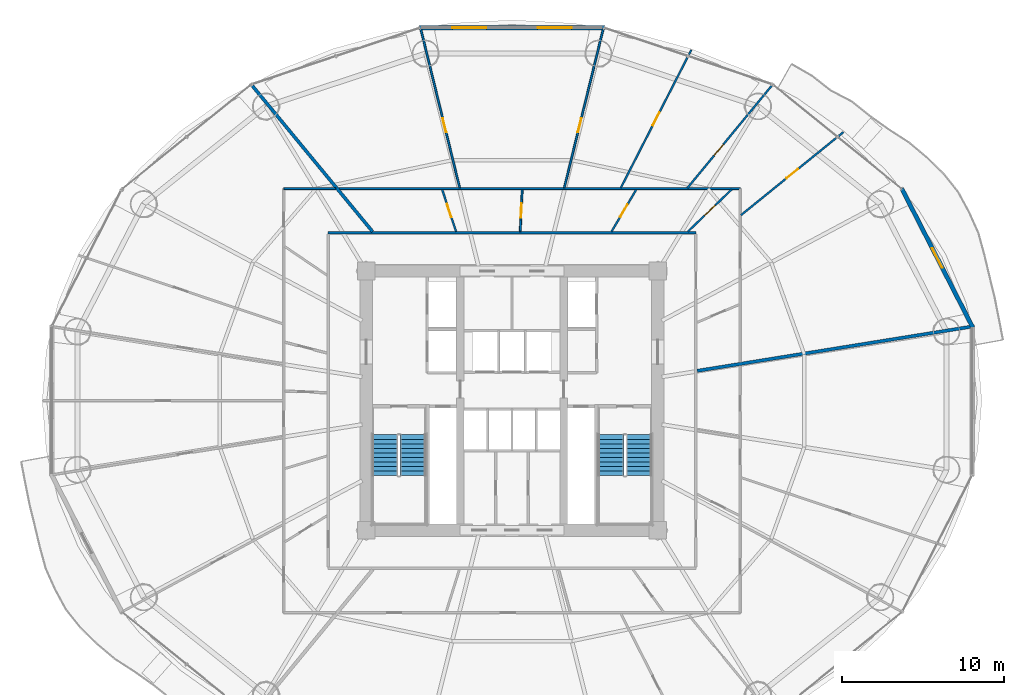
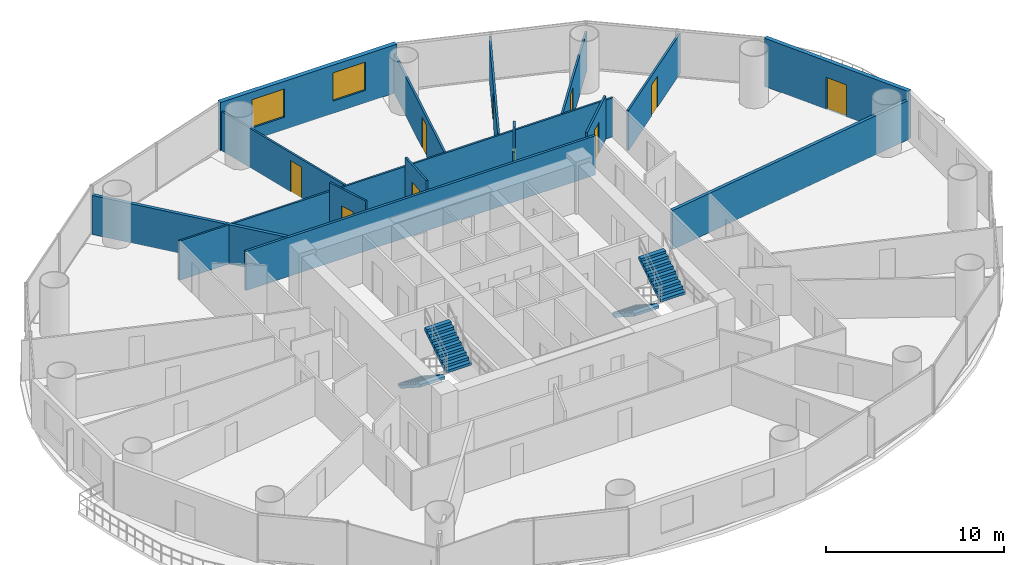
# One storey, part 24 of 28: 16 walls, 10 doors, 4 stair flights, 2 windows, 12 openings, 2 elements without a shape of their own.
"""IFC4 building model written with IfcOpenShell, lengths in metres."""

from ifc_helpers import new_model, si_unit, direction, frame, frame_2d, origin, place, context, subcontext, project, spatial, polyline, rectangle, outline, extrude, source, transform, mapped, material, layer, layer_set, type_object, element, fill, aggregate, save


model = new_model("IFC4")

# Units and contexts
model_context = context("Model", 3, precision=1e-05, world=origin(), true_north=direction((-0.2419218956, 0.970295726276)))
body_context = subcontext(model_context, "Body", "Model", "MODEL_VIEW")
ifc_project = project(units=[si_unit("LENGTHUNIT", "METRE"), si_unit("AREAUNIT", "SQUARE_METRE"), si_unit("VOLUMEUNIT", "CUBIC_METRE"), si_unit("PLANEANGLEUNIT", "RADIAN"), si_unit("MASSUNIT", "GRAM", prefix="KILO")], contexts=[model_context])

# Site, building, storey
site_placement = place(None, origin())
site = spatial("IfcSite", under=ifc_project, at=site_placement, CompositionType="ELEMENT")
building_placement = place(site_placement, origin())
building = spatial("IfcBuilding", under=site, at=building_placement, Name="Cobrevalo Terracotta Tower", CompositionType="ELEMENT")
storey_placement = place(building_placement, frame((0.0, 0.0, 38.39990234375)))
storey = spatial("IfcBuildingStorey", under=building, at=storey_placement, Name="L09", CompositionType="ELEMENT", Elevation=38.39990234375)

# Walls
ifc_material_1 = material(Name="Gypsum board on steel stud", Category="steel")
ifc_layer_1 = layer(ifc_material_1, 0.159912109375)
ifc_layer_set_1 = layer_set([ifc_layer_1], Name="Gypsum board on steel stud")
wall_type_1 = type_object("IfcWallType", Name="Fire-rated corridor acoustic partition wall 160 mm", PredefinedType="PARTITIONING", material=ifc_layer_set_1)
wall_1_placement = place(storey_placement, frame((26.64501953125, 37.155029296875, 0.0), z_axis=(0.0, 0.0, 1.0), x_axis=(1.0, 0.0, 0.0)))
element("IfcWall", 1, at=wall_1_placement, inside=storey, type_object=wall_type_1, Name="L09 interior partition IW-L09-COR-N", PredefinedType="PARTITIONING", context=body_context, shape_type="SweptSolid", body=[
    extrude(rectangle(XDim=22.7099609375, YDim=0.159912109375, at=frame_2d((11.35498046875, 0.0))), origin(), (0.0, 0.0, 1.0), 2.68798828125),
])
ifc_material_2 = material(Name="Autoclaved aerated concrete block", Category="concrete")
ifc_layer_2 = layer(ifc_material_2, 0.199951171875)
ifc_layer_set_2 = layer_set([ifc_layer_2], Name="Autoclaved aerated concrete block")
wall_type_2 = type_object("IfcWallType", Name="Fire-rated stair, shaft & demising masonry wall 200 mm", PredefinedType="PARTITIONING", material=ifc_layer_set_2)
wall_2_placement = place(storey_placement, frame((49.43505859375, 28.64306640625, 0.0), z_axis=(0.0, 0.0, 1.0), x_axis=(0.987255953651, 0.159140447344, 0.0)))
element("IfcWall", 2, at=wall_2_placement, inside=storey, type_object=wall_type_2, Name="L09 interior partition IW-L09-DEM-1", PredefinedType="PARTITIONING", context=body_context, shape_type="SweptSolid", body=[
    extrude(rectangle(XDim=17.10546875, YDim=0.199951171875, at=frame_2d((8.552734375, 0.0))), origin(), (0.0, 0.0, 1.0), 2.68798828125),
])
wall_3_placement = place(storey_placement, frame((29.39453125, 37.236572265625, 0.0), z_axis=(0.0, 0.0, 1.0), x_axis=(-0.636195770442, 0.77152766747, 0.0)))
element("IfcWall", 3, at=wall_3_placement, inside=storey, type_object=wall_type_2, Name="L09 interior partition IW-L09-DEM-2", PredefinedType="PARTITIONING", context=body_context, shape_type="SweptSolid", body=[
    extrude(rectangle(XDim=11.680908203125, YDim=0.199951171875, at=frame_2d((5.84033203125, 0.0))), origin(), (0.0, 0.0, 1.0), 2.68798828125),
])

# Wall, openings, windows
ifc_layer_3 = layer(ifc_material_2, 0.280029296875)
ifc_layer_set_3 = layer_set([ifc_layer_3], Name="Autoclaved aerated concrete block")
wall_type_3 = type_object("IfcWallType", Name="Insulated tower spandrel & pier wall 280 mm with terracotta rainscreen", PredefinedType="SOLIDWALL", material=ifc_layer_set_3)
wall_4_placement = place(storey_placement, frame((43.731689453125, 49.819091796875, 0.0), z_axis=(0.0, 0.0, 1.0), x_axis=(-1.0, 0.0, 0.0)))
wall_4 = element("IfcWall", 4, at=wall_4_placement, inside=storey, type_object=wall_type_3, Name="L09 terracotta rainscreen pier wall S04", PredefinedType="SOLIDWALL", context=body_context, shape_type="SweptSolid", body=[
    extrude(rectangle(XDim=11.46337890625, YDim=0.280029296875, at=frame_2d((5.731689453125, 0.0))), origin(), (0.0, 0.0, 1.0), 3.320068359375),
])
opening_1_placement = place(wall_4_placement, frame((2.045166015625, 0.0, 0.85009765625)))
opening_1 = element("IfcOpeningElement", 5, at=opening_1_placement, cuts=wall_4, Name="Opening WN-10", PredefinedType="OPENING", context=body_context, shape_type="SweptSolid", body=[
    extrude(rectangle(XDim=2.10009765625, YDim=1.949951171875, at=frame_2d((1.050048828125, 0.97509765625))), frame((0.0, 0.14990234375, 0.0), z_axis=(0.0, -1.0, 0.0), x_axis=(1.0, 0.0, 0.0)), (0.0, 0.0, 1.0), 0.300048828125),
])
opening_2_placement = place(wall_4_placement, frame((7.318359375, 0.0, 0.85009765625)))
opening_2 = element("IfcOpeningElement", 6, at=opening_2_placement, cuts=wall_4, Name="Opening WN-10", PredefinedType="OPENING", context=body_context, shape_type="SweptSolid", body=[
    extrude(rectangle(XDim=2.10009765625, YDim=1.949951171875, at=frame_2d((1.050048828125, 0.97509765625))), frame((0.0, 0.14990234375, 0.0), z_axis=(0.0, -1.0, 0.0), x_axis=(1.0, 0.0, 0.0)), (0.0, 0.0, 1.0), 0.300048828125),
])
ifc_material_3 = material(Name="Solar-control low-E double glazing", Category="glass")
window_type = type_object("IfcWindowType", Name="Wide panoramic low-E aluminium window 2100x1950", PartitioningType="SINGLE_PANEL", PredefinedType="WINDOW", material=ifc_material_3)
shared_shape_1 = source(origin(), body_context, "Body", "SweptSolid", [
    extrude(rectangle(XDim=2.10009765625, YDim=1.949951171875, at=frame_2d((1.050048828125, 0.97509765625))), frame((0.0, 0.030029296875, 0.0), z_axis=(0.0, -1.0, 0.0), x_axis=(1.0, 0.0, 0.0)), (0.0, 0.0, 1.0), 0.06005859375),
])
window_1_placement = place(opening_1_placement, origin())
window_1 = element("IfcWindow", 7, at=window_1_placement, inside=storey, type_object=window_type, Name="L09 suite window S04A", OverallHeight=1.949951171875, OverallWidth=2.10009765625, PartitioningType="SINGLE_PANEL", PredefinedType="WINDOW", context=body_context, shape_type="MappedRepresentation", body=[
    mapped(shared_shape_1, transform((0.0, 0.0, 0.0), scale=1.0)),
])
fill(opening_1, window_1)
window_2_placement = place(opening_2_placement, origin())
window_2 = element("IfcWindow", 8, at=window_2_placement, inside=storey, type_object=window_type, Name="L09 suite window S04B", OverallHeight=1.949951171875, OverallWidth=2.10009765625, PartitioningType="SINGLE_PANEL", PredefinedType="WINDOW", context=body_context, shape_type="MappedRepresentation", body=[
    mapped(shared_shape_1, transform((0.0, 0.0, 0.0), scale=1.0)),
])
fill(opening_2, window_2)

# Wall, opening, door
ifc_layer_4 = layer(ifc_material_2, 0.260009765625)
ifc_layer_set_4 = layer_set([ifc_layer_4], Name="Autoclaved aerated concrete block")
wall_type_4 = type_object("IfcWallType", Name="Recessed balcony loggia insulated exterior wall 260 mm", PredefinedType="SOLIDWALL", material=ifc_layer_set_4)
wall_5_placement = place(storey_placement, frame((66.44970703125, 31.3076171875, 0.0), z_axis=(0.0, 0.0, 1.0), x_axis=(-0.45523081716, 0.890373462715, 0.0)))
wall_5 = element("IfcWall", 9, at=wall_5_placement, inside=storey, type_object=wall_type_4, Name="L09 balcony loggia wall S01", PredefinedType="SOLIDWALL", context=body_context, shape_type="SweptSolid", body=[
    extrude(rectangle(XDim=9.662109375, YDim=0.260009765625, at=frame_2d((4.8310546875, 0.0))), origin(), (0.0, 0.0, 1.0), 3.320068359375),
])
opening_3_placement = place(wall_5_placement, frame((4.156005859375, 0.0, 0.0)))
opening_3 = element("IfcOpeningElement", 10, at=opening_3_placement, cuts=wall_5, Name="Opening ED-05", PredefinedType="OPENING", context=body_context, shape_type="SweptSolid", body=[
    extrude(rectangle(XDim=1.35009765625, YDim=2.199951171875, at=frame_2d((0.675048828125, 1.10009765625))), frame((0.0, 0.14013671875, 0.0), z_axis=(0.0, -1.0, 0.0), x_axis=(1.0, 0.0, 0.0)), (0.0, 0.0, 1.0), 0.280029296875),
])
ifc_material_4 = material(Name="Anodized aluminium and laminated glass", Category="aluminium")
door_type_1 = type_object("IfcDoorType", Name="Suite balcony acoustic glazed terrace door 1350x2200", OperationType="NOTDEFINED", PredefinedType="DOOR", material=ifc_material_4)
shared_shape_2 = source(origin(), body_context, "Body", "SweptSolid", [
    extrude(rectangle(XDim=1.35009765625, YDim=2.199951171875, at=frame_2d((0.675048828125, 1.10009765625))), frame((0.0, 0.02490234375, 0.0), z_axis=(0.0, -1.0, 0.0), x_axis=(1.0, 0.0, 0.0)), (0.0, 0.0, 1.0), 0.050048828125),
])
door_1_placement = place(opening_3_placement, frame((1.35009765625, 0.0, 0.0), z_axis=(0.0, 0.0, 1.0), x_axis=(-1.0, 0.0, 0.0)))
door_1 = element("IfcDoor", 11, at=door_1_placement, inside=storey, type_object=door_type_1, Name="L09 glazed balcony terrace door 1", OperationType="SINGLE_SWING_LEFT", OverallHeight=2.199951171875, OverallWidth=1.35009765625, PredefinedType="DOOR", context=body_context, shape_type="MappedRepresentation", body=[
    mapped(shared_shape_2, transform((0.0, 0.0, 0.0), scale=1.0)),
])
fill(opening_3, door_1)

# Wall
ifc_layer_5 = layer(ifc_material_1, 0.1201171875)
ifc_layer_set_5 = layer_set([ifc_layer_5], Name="Gypsum board on steel stud")
wall_type_5 = type_object("IfcWallType", Name="Residential internal acoustic stud partition 120 mm", PredefinedType="PARTITIONING", material=ifc_layer_set_5)
wall_6_placement = place(storey_placement, frame((27.3125, 39.885009765625, 0.0), z_axis=(0.0, 0.0, 1.0), x_axis=(1.0, 0.0, 0.0)))
element("IfcWall", 12, at=wall_6_placement, inside=storey, type_object=wall_type_5, Name="L09 interior partition IW-L09-U1-RING0_0", PredefinedType="PARTITIONING", context=body_context, shape_type="SweptSolid", body=[
    extrude(rectangle(XDim=24.7724609375, YDim=0.1201171875, at=frame_2d((12.38623046875, 0.0))), origin(), (0.0, 0.0, 1.0), 2.68798828125),
])

# Wall, opening, door
wall_7_placement = place(storey_placement, frame((52.133056640625, 38.252685546875, 0.0), z_axis=(0.0, 0.0, 1.0), x_axis=(0.776936623447, 0.629578814087, 0.0)))
wall_7 = element("IfcWall", 13, at=wall_7_placement, inside=storey, type_object=wall_type_5, Name="L09 interior partition IW-L09-U1-ORAD1", PredefinedType="PARTITIONING", context=body_context, shape_type="SweptSolid", body=[
    extrude(rectangle(XDim=8.136474609375, YDim=0.1201171875, at=frame_2d((4.068359375, 0.0))), origin(), (0.0, 0.0, 1.0), 2.76220703125),
])
opening_4_placement = place(wall_7_placement, frame((3.618408203125, 0.0, 0.0)))
opening_4 = element("IfcOpeningElement", 14, at=opening_4_placement, cuts=wall_7, Name="Opening ID-12", PredefinedType="OPENING", context=body_context, shape_type="SweptSolid", body=[
    extrude(rectangle(XDim=0.89990234375, YDim=2.14990234375, at=frame_2d((0.449951171875, 1.074951171875))), frame((0.0, 0.070068359375, 0.0), z_axis=(0.0, -1.0, 0.0), x_axis=(1.0, 0.0, 0.0)), (0.0, 0.0, 1.0), 0.14013671875),
])
ifc_material_5 = material(Name="Engineered timber", Category="wood")
door_type_2 = type_object("IfcDoorType", Name="Internal residence & suite timber door 900x2150", OperationType="NOTDEFINED", PredefinedType="DOOR", material=ifc_material_5)
shared_shape_3 = source(origin(), body_context, "Body", "SweptSolid", [
    extrude(rectangle(XDim=0.89990234375, YDim=2.14990234375, at=frame_2d((0.449951171875, 1.074951171875))), frame((0.0, 0.02490234375, 0.0), z_axis=(0.0, -1.0, 0.0), x_axis=(1.0, 0.0, 0.0)), (0.0, 0.0, 1.0), 0.050048828125),
])
door_2_placement = place(opening_4_placement, origin())
door_2 = element("IfcDoor", 15, at=door_2_placement, inside=storey, type_object=door_type_2, Name="Flat L09A Master Bedroom internal door", OperationType="SINGLE_SWING_LEFT", OverallHeight=2.14990234375, OverallWidth=0.89990234375, PredefinedType="DOOR", context=body_context, shape_type="MappedRepresentation", body=[
    mapped(shared_shape_3, transform((0.0, 0.0, 0.0), scale=1.0)),
])
fill(opening_4, door_2)

wall_8_placement = place(storey_placement, frame((48.828857421875, 39.932861328125, 0.0), z_axis=(0.0, 0.0, 1.0), x_axis=(0.636192172227, 0.771530634516, 0.0)))
wall_8 = element("IfcWall", 16, at=wall_8_placement, inside=storey, type_object=wall_type_5, Name="L09 interior partition IW-L09-U1-ORAD2M1", PredefinedType="PARTITIONING", context=body_context, shape_type="SweptSolid", body=[
    extrude(rectangle(XDim=8.186279296875, YDim=0.1201171875, at=frame_2d((4.09326171875, 0.0))), origin(), (0.0, 0.0, 1.0), 2.68798828125),
])
opening_5_placement = place(wall_8_placement, frame((2.584228515625, 0.0, 0.0)))
opening_5 = element("IfcOpeningElement", 17, at=opening_5_placement, cuts=wall_8, Name="Opening ID-12", PredefinedType="OPENING", context=body_context, shape_type="SweptSolid", body=[
    extrude(rectangle(XDim=0.89990234375, YDim=2.14990234375, at=frame_2d((0.449951171875, 1.074951171875))), frame((0.0, 0.070068359375, 0.0), z_axis=(0.0, -1.0, 0.0), x_axis=(1.0, 0.0, 0.0)), (0.0, 0.0, 1.0), 0.14013671875),
])
door_3_placement = place(opening_5_placement, origin())
door_3 = element("IfcDoor", 18, at=door_3_placement, inside=storey, type_object=door_type_2, Name="Flat L09A Principal Guest Bedroom internal door", OperationType="SINGLE_SWING_RIGHT", OverallHeight=2.14990234375, OverallWidth=0.89990234375, PredefinedType="DOOR", context=body_context, shape_type="MappedRepresentation", body=[
    mapped(shared_shape_3, transform((0.0, 0.0, 0.0), scale=1.0)),
])
fill(opening_5, door_3)

wall_9_placement = place(storey_placement, frame((44.716796875, 39.940185546875, 0.0), z_axis=(0.0, 0.0, 1.0), x_axis=(0.455131303234, 0.890424335256, 0.0)))
wall_9 = element("IfcWall", 19, at=wall_9_placement, inside=storey, type_object=wall_type_5, Name="L09 interior partition IW-L09-U1-ORAD2M2", PredefinedType="PARTITIONING", context=body_context, shape_type="SweptSolid", body=[
    extrude(rectangle(XDim=9.562255859375, YDim=0.1201171875, at=frame_2d((4.78125, 0.0))), origin(), (0.0, 0.0, 1.0), 2.76220703125),
])
opening_6_placement = place(wall_9_placement, frame((4.3310546875, 0.0, 0.0)))
opening_6 = element("IfcOpeningElement", 20, at=opening_6_placement, cuts=wall_9, Name="Opening ID-12", PredefinedType="OPENING", context=body_context, shape_type="SweptSolid", body=[
    extrude(rectangle(XDim=0.89990234375, YDim=2.14990234375, at=frame_2d((0.449951171875, 1.074951171875))), frame((0.0, 0.070068359375, 0.0), z_axis=(0.0, -1.0, 0.0), x_axis=(1.0, 0.0, 0.0)), (0.0, 0.0, 1.0), 0.14013671875),
])
door_4_placement = place(opening_6_placement, origin())
door_4 = element("IfcDoor", 21, at=door_4_placement, inside=storey, type_object=door_type_2, Name="Flat L09A Principal Guest Bedroom internal door", OperationType="SINGLE_SWING_LEFT", OverallHeight=2.14990234375, OverallWidth=0.89990234375, PredefinedType="DOOR", context=body_context, shape_type="MappedRepresentation", body=[
    mapped(shared_shape_3, transform((0.0, 0.0, 0.0), scale=1.0)),
])
fill(opening_6, door_4)

wall_10_placement = place(storey_placement, frame((41.226806640625, 39.9453125, 0.0), z_axis=(0.0, 0.0, 1.0), x_axis=(0.238375747469, 0.97117300365, 0.0)))
wall_10 = element("IfcWall", 22, at=wall_10_placement, inside=storey, type_object=wall_type_5, Name="L09 interior partition IW-L09-U1-ORAD2", PredefinedType="PARTITIONING", context=body_context, shape_type="SweptSolid", body=[
    extrude(rectangle(XDim=10.086181640625, YDim=0.1201171875, at=frame_2d((5.04296875, 0.0))), origin(), (0.0, 0.0, 1.0), 2.68798828125),
])
opening_7_placement = place(wall_10_placement, frame((3.5185546875, 0.0, 0.0)))
opening_7 = element("IfcOpeningElement", 23, at=opening_7_placement, cuts=wall_10, Name="Opening ID-12", PredefinedType="OPENING", context=body_context, shape_type="SweptSolid", body=[
    extrude(rectangle(XDim=0.89990234375, YDim=2.14990234375, at=frame_2d((0.449951171875, 1.074951171875))), frame((0.0, 0.070068359375, 0.0), z_axis=(0.0, -1.0, 0.0), x_axis=(1.0, 0.0, 0.0)), (0.0, 0.0, 1.0), 0.14013671875),
])
door_5_placement = place(opening_7_placement, origin())
door_5 = element("IfcDoor", 24, at=door_5_placement, inside=storey, type_object=door_type_2, Name="Flat L09A Penthouse Family Lounge internal door", OperationType="SINGLE_SWING_RIGHT", OverallHeight=2.14990234375, OverallWidth=0.89990234375, PredefinedType="DOOR", context=body_context, shape_type="MappedRepresentation", body=[
    mapped(shared_shape_3, transform((0.0, 0.0, 0.0), scale=1.0)),
])
fill(opening_7, door_5)

wall_11_placement = place(storey_placement, frame((34.773193359375, 39.9453125, 0.0), z_axis=(0.0, 0.0, 1.0), x_axis=(-0.238375747469, 0.97117300365, 0.0)))
wall_11 = element("IfcWall", 25, at=wall_11_placement, inside=storey, type_object=wall_type_5, Name="L09 interior partition IW-L09-U1-ORAD3", PredefinedType="PARTITIONING", context=body_context, shape_type="SweptSolid", body=[
    extrude(rectangle(XDim=10.086181640625, YDim=0.1201171875, at=frame_2d((5.04296875, 0.0))), origin(), (0.0, 0.0, 1.0), 2.68798828125),
])
opening_8_placement = place(wall_11_placement, frame((3.51806640625, 0.0, 0.0)))
opening_8 = element("IfcOpeningElement", 26, at=opening_8_placement, cuts=wall_11, Name="Opening ID-12", PredefinedType="OPENING", context=body_context, shape_type="SweptSolid", body=[
    extrude(rectangle(XDim=0.89990234375, YDim=2.14990234375, at=frame_2d((0.449951171875, 1.074951171875))), frame((0.0, 0.070068359375, 0.0), z_axis=(0.0, -1.0, 0.0), x_axis=(1.0, 0.0, 0.0)), (0.0, 0.0, 1.0), 0.14013671875),
])
door_6_placement = place(opening_8_placement, origin())
door_6 = element("IfcDoor", 27, at=door_6_placement, inside=storey, type_object=door_type_2, Name="Flat L09A Penthouse Family Lounge internal door", OperationType="SINGLE_SWING_LEFT", OverallHeight=2.14990234375, OverallWidth=0.89990234375, PredefinedType="DOOR", context=body_context, shape_type="MappedRepresentation", body=[
    mapped(shared_shape_3, transform((0.0, 0.0, 0.0), scale=1.0)),
])
fill(opening_8, door_6)

wall_12_placement = place(storey_placement, frame((48.854736328125, 37.236328125, 0.0), z_axis=(0.0, 0.0, 1.0), x_axis=(0.720835560675, 0.693106120638, 0.0)))
wall_12 = element("IfcWall", 28, at=wall_12_placement, inside=storey, type_object=wall_type_5, Name="L09 interior partition IW-L09-U1-IRAD2", PredefinedType="PARTITIONING", context=body_context, shape_type="SweptSolid", body=[
    extrude(rectangle(XDim=3.759521484375, YDim=0.1201171875, at=frame_2d((1.8798828125, 0.0))), origin(), (0.0, 0.0, 1.0), 2.9990234375),
])
opening_9_placement = place(wall_12_placement, frame((1.4296875, 0.0, 0.0)))
opening_9 = element("IfcOpeningElement", 29, at=opening_9_placement, cuts=wall_12, Name="Opening ID-12", PredefinedType="OPENING", context=body_context, shape_type="SweptSolid", body=[
    extrude(rectangle(XDim=0.89990234375, YDim=2.14990234375, at=frame_2d((0.449951171875, 1.074951171875))), frame((0.0, 0.070068359375, 0.0), z_axis=(0.0, -1.0, 0.0), x_axis=(1.0, 0.0, 0.0)), (0.0, 0.0, 1.0), 0.14013671875),
])
door_7_placement = place(opening_9_placement, origin())
door_7 = element("IfcDoor", 30, at=door_7_placement, inside=storey, type_object=door_type_2, Name="Flat L09A Kitchen internal door", OperationType="SINGLE_SWING_LEFT", OverallHeight=2.14990234375, OverallWidth=0.89990234375, PredefinedType="DOOR", context=body_context, shape_type="MappedRepresentation", body=[
    mapped(shared_shape_3, transform((0.0, 0.0, 0.0), scale=1.0)),
])
fill(opening_9, door_7)

wall_13_placement = place(storey_placement, frame((44.14306640625, 37.23681640625, 0.0), z_axis=(0.0, 0.0, 1.0), x_axis=(0.507275244465, 0.861784094976, 0.0)))
wall_13 = element("IfcWall", 31, at=wall_13_placement, inside=storey, type_object=wall_type_5, Name="L09 interior partition IW-L09-U1-IRAD3", PredefinedType="PARTITIONING", context=body_context, shape_type="SweptSolid", body=[
    extrude(rectangle(XDim=3.010986328125, YDim=0.1201171875, at=frame_2d((1.50537109375, 0.0))), origin(), (0.0, 0.0, 1.0), 3.320068359375),
])
opening_10_placement = place(wall_13_placement, frame((1.055419921875, 0.0, 0.0)))
opening_10 = element("IfcOpeningElement", 32, at=opening_10_placement, cuts=wall_13, Name="Opening ID-12", PredefinedType="OPENING", context=body_context, shape_type="SweptSolid", body=[
    extrude(rectangle(XDim=0.89990234375, YDim=2.14990234375, at=frame_2d((0.449951171875, 1.074951171875))), frame((0.0, 0.070068359375, 0.0), z_axis=(0.0, -1.0, 0.0), x_axis=(1.0, 0.0, 0.0)), (0.0, 0.0, 1.0), 0.14013671875),
])
door_8_placement = place(opening_10_placement, origin())
door_8 = element("IfcDoor", 33, at=door_8_placement, inside=storey, type_object=door_type_2, Name="Flat L09A Utility Closet internal door", OperationType="SINGLE_SWING_RIGHT", OverallHeight=2.14990234375, OverallWidth=0.89990234375, PredefinedType="DOOR", context=body_context, shape_type="MappedRepresentation", body=[
    mapped(shared_shape_3, transform((0.0, 0.0, 0.0), scale=1.0)),
])
fill(opening_10, door_8)

wall_14_placement = place(storey_placement, frame((38.506103515625, 37.237060546875, 0.0), z_axis=(0.0, 0.0, 1.0), x_axis=(0.048376073987, 0.998829192338, 0.0)))
wall_14 = element("IfcWall", 34, at=wall_14_placement, inside=storey, type_object=wall_type_5, Name="L09 interior partition IW-L09-U1-IRAD4", PredefinedType="PARTITIONING", context=body_context, shape_type="SweptSolid", body=[
    extrude(rectangle(XDim=2.5888671875, YDim=0.1201171875, at=frame_2d((1.29443359375, 0.0))), origin(), (0.0, 0.0, 1.0), 3.320068359375),
])
opening_11_placement = place(wall_14_placement, frame((0.844482421875, 0.0, 0.0)))
opening_11 = element("IfcOpeningElement", 35, at=opening_11_placement, cuts=wall_14, Name="Opening ID-12", PredefinedType="OPENING", context=body_context, shape_type="SweptSolid", body=[
    extrude(rectangle(XDim=0.89990234375, YDim=2.14990234375, at=frame_2d((0.449951171875, 1.074951171875))), frame((0.0, 0.070068359375, 0.0), z_axis=(0.0, -1.0, 0.0), x_axis=(1.0, 0.0, 0.0)), (0.0, 0.0, 1.0), 0.14013671875),
])
door_9_placement = place(opening_11_placement, origin())
door_9 = element("IfcDoor", 36, at=door_9_placement, inside=storey, type_object=door_type_2, Name="Flat L09A Home Office Study internal door", OperationType="SINGLE_SWING_LEFT", OverallHeight=2.14990234375, OverallWidth=0.89990234375, PredefinedType="DOOR", context=body_context, shape_type="MappedRepresentation", body=[
    mapped(shared_shape_3, transform((0.0, 0.0, 0.0), scale=1.0)),
])
fill(opening_11, door_9)

wall_15_placement = place(storey_placement, frame((34.548828125, 37.23681640625, 0.0), z_axis=(0.0, 0.0, 1.0), x_axis=(-0.313863409377, 0.949468145992, 0.0)))
wall_15 = element("IfcWall", 37, at=wall_15_placement, inside=storey, type_object=wall_type_5, Name="L09 interior partition IW-L09-U1-IRAD5", PredefinedType="PARTITIONING", context=body_context, shape_type="SweptSolid", body=[
    extrude(rectangle(XDim=2.72705078125, YDim=0.1201171875, at=frame_2d((1.363525390625, 0.0))), origin(), (0.0, 0.0, 1.0), 3.320068359375),
])
opening_12_placement = place(wall_15_placement, frame((0.93359375, 0.0, 0.0)))
opening_12 = element("IfcOpeningElement", 38, at=opening_12_placement, cuts=wall_15, Name="Opening ID-19", PredefinedType="OPENING", context=body_context, shape_type="SweptSolid", body=[
    extrude(rectangle(XDim=0.860107421875, YDim=2.14990234375, at=frame_2d((0.43017578125, 1.074951171875))), frame((0.0, 0.070068359375, 0.0), z_axis=(0.0, -1.0, 0.0), x_axis=(1.0, 0.0, 0.0)), (0.0, 0.0, 1.0), 0.14013671875),
])
ifc_material_6 = material(Name="Moisture-sealed timber", Category="wood")
door_type_3 = type_object("IfcDoorType", Name="Suite bathroom internal timber door 860x2150", OperationType="NOTDEFINED", PredefinedType="DOOR", material=ifc_material_6)
shared_shape_4 = source(origin(), body_context, "Body", "SweptSolid", [
    extrude(rectangle(XDim=0.860107421875, YDim=2.14990234375, at=frame_2d((0.43017578125, 1.074951171875))), frame((0.0, 0.02490234375, 0.0), z_axis=(0.0, -1.0, 0.0), x_axis=(1.0, 0.0, 0.0)), (0.0, 0.0, 1.0), 0.050048828125),
])
door_10_placement = place(opening_12_placement, origin())
door_10 = element("IfcDoor", 39, at=door_10_placement, inside=storey, type_object=door_type_3, Name="Flat L09A Guest Bathroom internal door", OperationType="SINGLE_SWING_RIGHT", OverallHeight=2.14990234375, OverallWidth=0.860107421875, PredefinedType="DOOR", context=body_context, shape_type="MappedRepresentation", body=[
    mapped(shared_shape_4, transform((0.0, 0.0, 0.0), scale=1.0)),
])
fill(opening_12, door_10)

# Wall
wall_16_placement = place(storey_placement, frame((23.9150390625, 39.885009765625, 0.0), z_axis=(0.0, 0.0, 1.0), x_axis=(1.0, 0.0, 0.0)))
element("IfcWall", 40, at=wall_16_placement, inside=storey, type_object=wall_type_5, Name="L09 interior partition IW-L09-U2-RING2_0", PredefinedType="PARTITIONING", context=body_context, shape_type="SweptSolid", body=[
    extrude(rectangle(XDim=3.193603515625, YDim=0.1201171875, at=frame_2d((1.5966796875, 0.0))), origin(), (0.0, 0.0, 1.0), 2.68798828125),
])

# Stair, stair flights
ifc_material_7 = material(Name="Concrete C50", Category="concrete")
stair_type = type_object("IfcStairType", Name="Core protected escape dogleg stair 1600", PredefinedType="HALF_TURN_STAIR", material=ifc_material_7)
stair_1_placement = place(storey_placement, origin())
stair_1 = element("IfcStair", 41, at=stair_1_placement, inside=storey, type_object=stair_type, Name="L09 Protected exit stair ST-1", PredefinedType="HALF_TURN_STAIR")
stair_flight_type = type_object("IfcStairFlightType", Name="Core protected escape dogleg stair 1600 flight", PredefinedType="STRAIGHT", material=ifc_material_7)
stair_flight_1_placement = place(storey_placement, frame((30.175048828125, 24.699951171875, 0.0), z_axis=(0.0, 0.0, 1.0), x_axis=(0.0, -1.0, 0.0)))
stair_flight_1 = element("IfcStairFlight", 42, at=stair_flight_1_placement, type_object=stair_flight_type, Name="ST-1 flight 1", NumberOfRisers=10, NumberOfTreads=9, PredefinedType="STRAIGHT", RiserHeight=0.18, TreadLength=0.28, context=body_context, shape_type="SweptSolid", body=[
    extrude(outline(polyline([(0.0, 0.0), (0.0, 0.179931640625), (0.280029296875, 0.179931640625), (0.280029296875, 0.360107421875), (0.56005859375, 0.360107421875), (0.56005859375, 0.5400390625), (0.840087890625, 0.5400390625), (0.840087890625, 0.719970703125), (1.1201171875, 0.719970703125), (1.1201171875, 0.89990234375), (1.39990234375, 0.89990234375), (1.39990234375, 1.080078125), (1.679931640625, 1.080078125), (1.679931640625, 1.260009765625), (1.9599609375, 1.260009765625), (1.9599609375, 1.43994140625), (2.239990234375, 1.43994140625), (2.239990234375, 1.6201171875), (2.52001953125, 1.6201171875), (2.52001953125, 1.800048828125), (2.52001953125, 1.429931640625), (0.295654296875, 0.0), (0.0, 0.0)])), frame((0.0, 0.800048828125, 0.0), z_axis=(0.0, -1.0, 0.0), x_axis=(1.0, 0.0, 0.0)), (0.0, 0.0, 1.0), 1.60009765625),
])
stair_flight_2_placement = place(storey_placement, frame((31.89501953125, 22.179931640625, 1.800048828125), z_axis=(0.0, 0.0, 1.0), x_axis=(0.0, 1.0, 0.0)))
stair_flight_2 = element("IfcStairFlight", 43, at=stair_flight_2_placement, type_object=stair_flight_type, Name="ST-1 flight 2", NumberOfRisers=10, NumberOfTreads=9, PredefinedType="STRAIGHT", RiserHeight=0.18, TreadLength=0.28, context=body_context, shape_type="SweptSolid", body=[
    extrude(outline(polyline([(0.0, 0.0), (0.0, 0.179931640625), (0.280029296875, 0.179931640625), (0.280029296875, 0.360107421875), (0.56005859375, 0.360107421875), (0.56005859375, 0.5400390625), (0.840087890625, 0.5400390625), (0.840087890625, 0.719970703125), (1.1201171875, 0.719970703125), (1.1201171875, 0.89990234375), (1.39990234375, 0.89990234375), (1.39990234375, 1.080078125), (1.679931640625, 1.080078125), (1.679931640625, 1.260009765625), (1.9599609375, 1.260009765625), (1.9599609375, 1.43994140625), (2.239990234375, 1.43994140625), (2.239990234375, 1.6201171875), (2.52001953125, 1.6201171875), (2.52001953125, 1.800048828125), (2.52001953125, 1.429931640625), (0.295654296875, 0.0), (0.0, 0.0)])), frame((0.0, 0.800048828125, 0.0), z_axis=(0.0, -1.0, 0.0), x_axis=(1.0, 0.0, 0.0)), (0.0, 0.0, 1.0), 1.60009765625),
])
aggregate(stair_1, [stair_flight_1, stair_flight_2])

stair_2_placement = place(storey_placement, origin())
stair_2 = element("IfcStair", 44, at=stair_2_placement, inside=storey, type_object=stair_type, Name="L09 Protected exit stair ST-2", PredefinedType="HALF_TURN_STAIR")
stair_flight_3_placement = place(storey_placement, frame((44.10498046875, 24.699951171875, 0.0), z_axis=(0.0, 0.0, 1.0), x_axis=(0.0, -1.0, 0.0)))
stair_flight_3 = element("IfcStairFlight", 45, at=stair_flight_3_placement, type_object=stair_flight_type, Name="ST-2 flight 1", NumberOfRisers=10, NumberOfTreads=9, PredefinedType="STRAIGHT", RiserHeight=0.18, TreadLength=0.28, context=body_context, shape_type="SweptSolid", body=[
    extrude(outline(polyline([(0.0, 0.0), (0.0, 0.179931640625), (0.280029296875, 0.179931640625), (0.280029296875, 0.360107421875), (0.56005859375, 0.360107421875), (0.56005859375, 0.5400390625), (0.840087890625, 0.5400390625), (0.840087890625, 0.719970703125), (1.1201171875, 0.719970703125), (1.1201171875, 0.89990234375), (1.39990234375, 0.89990234375), (1.39990234375, 1.080078125), (1.679931640625, 1.080078125), (1.679931640625, 1.260009765625), (1.9599609375, 1.260009765625), (1.9599609375, 1.43994140625), (2.239990234375, 1.43994140625), (2.239990234375, 1.6201171875), (2.52001953125, 1.6201171875), (2.52001953125, 1.800048828125), (2.52001953125, 1.429931640625), (0.295654296875, 0.0), (0.0, 0.0)])), frame((0.0, 0.800048828125, 0.0), z_axis=(0.0, -1.0, 0.0), x_axis=(1.0, 0.0, 0.0)), (0.0, 0.0, 1.0), 1.60009765625),
])
stair_flight_4_placement = place(storey_placement, frame((45.824951171875, 22.179931640625, 1.800048828125), z_axis=(0.0, 0.0, 1.0), x_axis=(0.0, 1.0, 0.0)))
stair_flight_4 = element("IfcStairFlight", 46, at=stair_flight_4_placement, type_object=stair_flight_type, Name="ST-2 flight 2", NumberOfRisers=10, NumberOfTreads=9, PredefinedType="STRAIGHT", RiserHeight=0.18, TreadLength=0.28, context=body_context, shape_type="SweptSolid", body=[
    extrude(outline(polyline([(0.0, 0.0), (0.0, 0.179931640625), (0.280029296875, 0.179931640625), (0.280029296875, 0.360107421875), (0.56005859375, 0.360107421875), (0.56005859375, 0.5400390625), (0.840087890625, 0.5400390625), (0.840087890625, 0.719970703125), (1.1201171875, 0.719970703125), (1.1201171875, 0.89990234375), (1.39990234375, 0.89990234375), (1.39990234375, 1.080078125), (1.679931640625, 1.080078125), (1.679931640625, 1.260009765625), (1.9599609375, 1.260009765625), (1.9599609375, 1.43994140625), (2.239990234375, 1.43994140625), (2.239990234375, 1.6201171875), (2.52001953125, 1.6201171875), (2.52001953125, 1.800048828125), (2.52001953125, 1.429931640625), (0.295654296875, 0.0), (0.0, 0.0)])), frame((0.0, 0.800048828125, 0.0), z_axis=(0.0, -1.0, 0.0), x_axis=(1.0, 0.0, 0.0)), (0.0, 0.0, 1.0), 1.60009765625),
])
aggregate(stair_2, [stair_flight_3, stair_flight_4])

save(model, "model.ifc")
